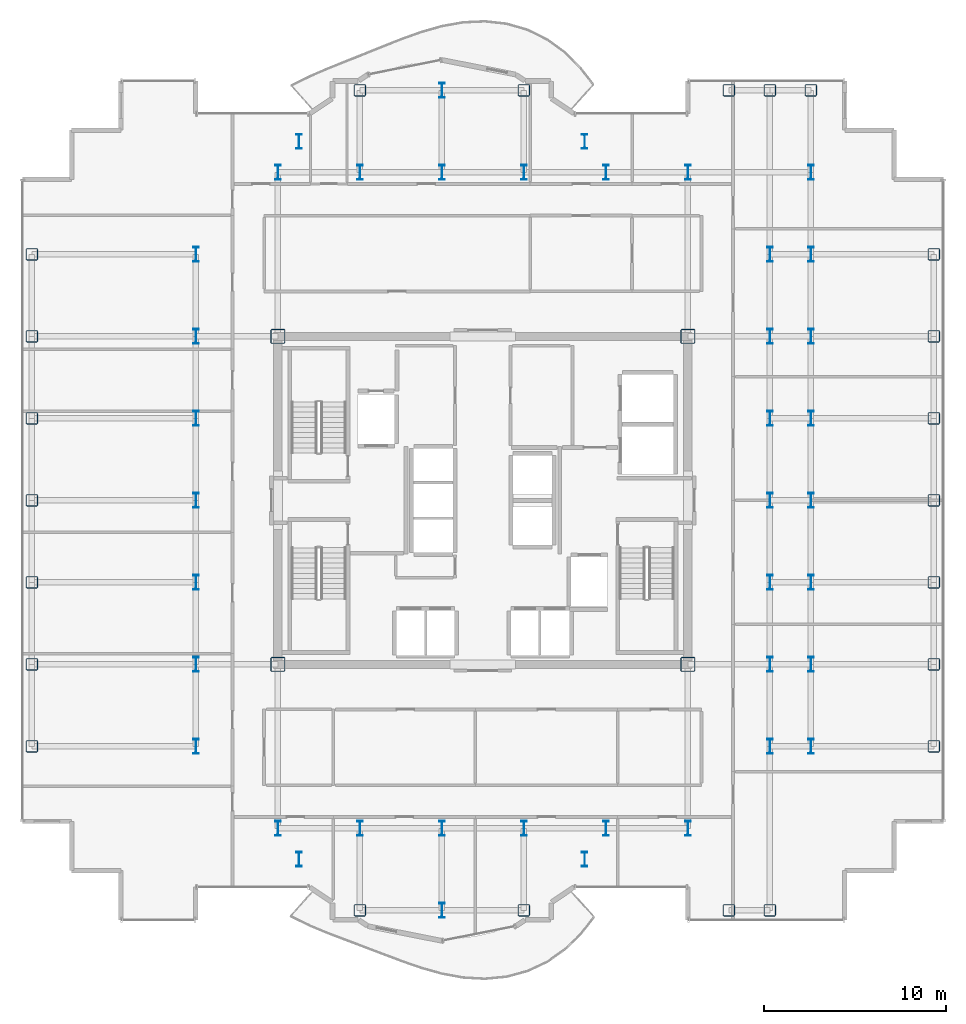
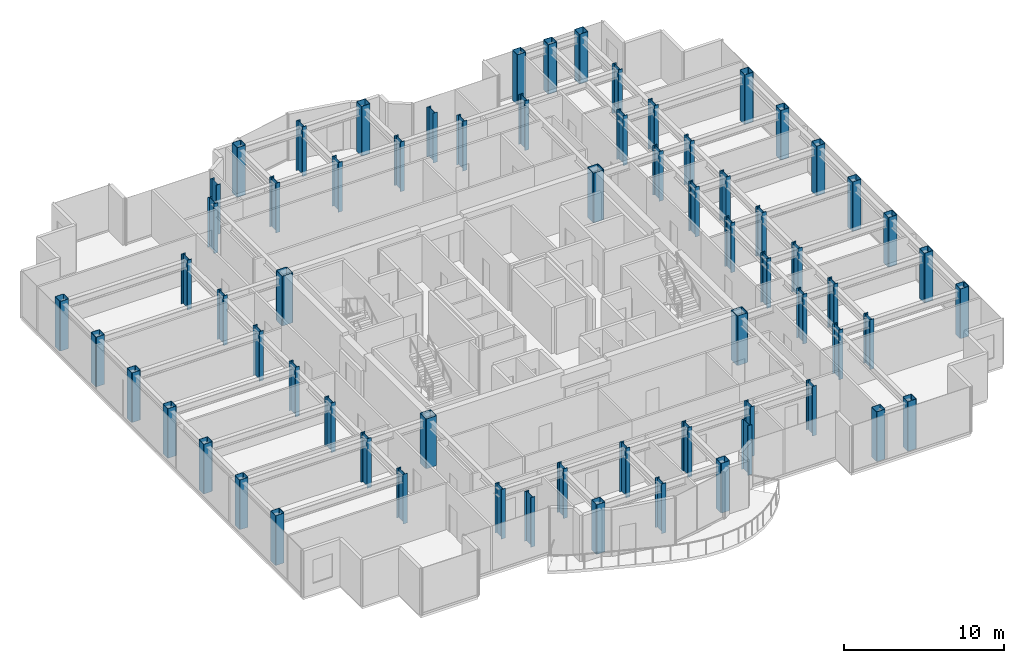
# One storey, part 1 of 21: 67 columns.
"""IFC4 building model written with IfcOpenShell, lengths in metres."""

from ifc_helpers import new_model, si_unit, direction, frame, origin, origin_2d, place, context, subcontext, project, spatial, hollow_rectangle, i_section, extrude, source, transform, mapped, material, material_profile, profile_set, type_object, element, save


model = new_model("IFC4")

# Units and contexts
model_context = context("Model", 3, precision=1e-05, world=origin(), true_north=direction((0.0, 1.0)))
body_context = subcontext(model_context, "Body", "Model", "MODEL_VIEW")
ifc_project = project(units=[si_unit("LENGTHUNIT", "METRE"), si_unit("AREAUNIT", "SQUARE_METRE"), si_unit("VOLUMEUNIT", "CUBIC_METRE"), si_unit("PLANEANGLEUNIT", "RADIAN"), si_unit("MASSUNIT", "GRAM", prefix="KILO")], contexts=[model_context])

# Site, building, storey
site_placement = place(None, origin())
site = spatial("IfcSite", under=ifc_project, at=site_placement, CompositionType="ELEMENT")
building_placement = place(site_placement, origin())
building = spatial("IfcBuilding", under=site, at=building_placement, Name="Nefas-Gora Pilgrimage Tower", CompositionType="ELEMENT")
storey_placement = place(building_placement, frame((0.0, 0.0, 210.39990234375)))
storey = spatial("IfcBuildingStorey", under=building, at=storey_placement, Name="L52", CompositionType="ELEMENT", Elevation=210.39990234375)

# Columns
ifc_material = material(Name="Steel S460", Category="steel")
ifc_material_profile_1 = material_profile(ifc_material, i_section(OverallWidth=0.302978515625, OverallDepth=0.81396484375, WebThickness=0.02099609375, FlangeThickness=0.0400390625, FilletRadius=0.030029296875, at=origin_2d()), Name="HEM 800")
ifc_profile_set_1 = profile_set([ifc_material_profile_1], Name="Steel S460")
column_type_1 = type_object("IfcColumnType", Name="COL-WEB-HEM800", PredefinedType="COLUMN", material=ifc_profile_set_1)
shared_shape_1 = source(origin(), body_context, "Body", "SweptSolid", [
    extrude(i_section(OverallWidth=0.302978515625, OverallDepth=0.81396484375, WebThickness=0.02099609375, FlangeThickness=0.0400390625, FilletRadius=0.030029296875, at=origin_2d()), origin(), (0.0, 0.0, 1.0), 3.800048828125),
])
for number, where, z_axis, x_axis, name in (
    (1, (-15.75, -13.5, 0.0), (0.0, 0.0, 1.0), (1.0, 0.0, 0.0), "L52 Tower Column CW-02.8"),
    (2, (-15.75, -9.0, 0.0), (0.0, 0.0, 1.0), (1.0, 0.0, 0.0), "L52 Tower Column CW-02.9"),
    (3, (-15.75, -4.5, 0.0), (0.0, 0.0, 1.0), (1.0, 0.0, 0.0), "L52 Tower Column CW-02.10"),
    (4, (-15.75, 0.0, 0.0), (0.0, 0.0, 1.0), (1.0, 0.0, 0.0), "L52 Tower Column CW-02.11"),
    (5, (-15.75, 4.5, 0.0), (0.0, 0.0, 1.0), (1.0, 0.0, 0.0), "L52 Tower Column CW-02.12"),
    (6, (-15.75, 9.0, 0.0), (0.0, 0.0, 1.0), (1.0, 0.0, 0.0), "L52 Tower Column CW-02.13"),
    (7, (-15.75, 13.5, 0.0), (0.0, 0.0, 1.0), (1.0, 0.0, 0.0), "L52 Tower Column CW-02.14"),
    (8, (-11.25, -18.0, 0.0), (0.0, 0.0, 1.0), (1.0, 0.0, 0.0), "L52 Tower Column CW-02.15"),
    (9, (-11.25, 18.0, 0.0), (0.0, 0.0, 1.0), (1.0, 0.0, 0.0), "L52 Tower Column CW-02.18"),
    (10, (-10.091064453125, -19.696044921875, 0.0), (0.0, 0.0, 1.0), (1.0, 0.0, 0.0), "L52 Tower Column CW-02.19"),
    (11, (-10.091064453125, 19.696044921875, 0.0), (0.0, 0.0, 1.0), (1.0, 0.0, 0.0), "L52 Tower Column CW-02.20"),
    (12, (-6.75, -18.0, 0.0), (0.0, 0.0, 1.0), (1.0, 0.0, 0.0), "L52 Tower Column CW-02.22"),
    (13, (-6.75, 18.0, 0.0), (0.0, 0.0, 1.0), (1.0, 0.0, 0.0), "L52 Tower Column CW-02.23"),
    (14, (-2.25, -22.5, 0.0), (0.0, 0.0, 1.0), (1.0, 0.0, 0.0), "L52 Tower Column CW-02.25"),
    (15, (-2.25, -18.0, 0.0), (0.0, 0.0, 1.0), (1.0, 0.0, 0.0), "L52 Tower Column CW-02.26"),
    (16, (-2.25, 18.0, 0.0), (0.0, 0.0, 1.0), (1.0, 0.0, 0.0), "L52 Tower Column CW-02.27"),
    (17, (-2.25, 22.5, 0.0), (0.0, 0.0, 1.0), (1.0, 0.0, 0.0), "L52 Tower Column CW-02.28"),
    (18, (2.25, -18.0, 0.0), (0.0, 0.0, 1.0), (1.0, 0.0, 0.0), "L52 Tower Column CW-02.30"),
    (19, (2.25, 18.0, 0.0), (0.0, 0.0, 1.0), (1.0, 0.0, 0.0), "L52 Tower Column CW-02.31"),
    (20, (5.591064453125, -19.696044921875, 0.0), (0.0, 0.0, 1.0), (1.0, 0.0, 0.0), "L52 Tower Column CW-02.33"),
    (21, (5.591064453125, 19.696044921875, 0.0), (0.0, 0.0, 1.0), (1.0, 0.0, 0.0), "L52 Tower Column CW-02.34"),
    (22, (6.75, -18.0, 0.0), (0.0, 0.0, 1.0), (1.0, 0.0, 0.0), "L52 Tower Column CW-02.35"),
    (23, (6.75, 18.0, 0.0), (0.0, 0.0, 1.0), (1.0, 0.0, 0.0), "L52 Tower Column CW-02.36"),
    (24, (11.25, -18.0, 0.0), (0.0, 0.0, 1.0), (1.0, 0.0, 0.0), "L52 Tower Column CW-02.37"),
    (25, (11.25, 18.0, 0.0), (0.0, 0.0, 1.0), (1.0, 0.0, 0.0), "L52 Tower Column CW-02.40"),
    (26, (15.75, -13.5, 0.0), (0.0, 0.0, 1.0), (1.0, 0.0, 0.0), "L52 Tower Column CW-02.44"),
    (27, (15.75, -9.0, 0.0), (0.0, 0.0, 1.0), (1.0, 0.0, 0.0), "L52 Tower Column CW-02.45"),
    (28, (15.75, -4.5, 0.0), (0.0, 0.0, 1.0), (1.0, 0.0, 0.0), "L52 Tower Column CW-02.46"),
    (29, (15.75, 0.0, 0.0), (0.0, 0.0, 1.0), (1.0, 0.0, 0.0), "L52 Tower Column CW-02.47"),
    (30, (15.75, 4.5, 0.0), (0.0, 0.0, 1.0), (1.0, 0.0, 0.0), "L52 Tower Column CW-02.48"),
    (31, (15.75, 9.0, 0.0), (0.0, 0.0, 1.0), (1.0, 0.0, 0.0), "L52 Tower Column CW-02.49"),
    (32, (15.75, 13.5, 0.0), (0.0, 0.0, 1.0), (1.0, 0.0, 0.0), "L52 Tower Column CW-02.50"),
    (33, (18.0, -13.5, 0.0), (0.0, 0.0, 1.0), (1.0, 0.0, 0.0), "L52 Tower Column CW-02.52"),
    (34, (18.0, -9.0, 0.0), (0.0, 0.0, 1.0), (1.0, 0.0, 0.0), "L52 Tower Column CW-02.53"),
    (35, (18.0, -4.5, 0.0), (0.0, 0.0, 1.0), (1.0, 0.0, 0.0), "L52 Tower Column CW-02.54"),
    (36, (18.0, 0.0, 0.0), (0.0, 0.0, 1.0), (1.0, 0.0, 0.0), "L52 Tower Column CW-02.55"),
    (37, (18.0, 4.5, 0.0), (0.0, 0.0, 1.0), (1.0, 0.0, 0.0), "L52 Tower Column CW-02.56"),
    (38, (18.0, 9.0, 0.0), (0.0, 0.0, 1.0), (1.0, 0.0, 0.0), "L52 Tower Column CW-02.57"),
    (39, (18.0, 13.5, 0.0), (0.0, 0.0, 1.0), (1.0, 0.0, 0.0), "L52 Tower Column CW-02.58"),
    (40, (18.0, 18.0, 0.0), (0.0, 0.0, 1.0), (1.0, 0.0, 0.0), "L52 Tower Column CW-02.59"),
):
    element("IfcColumn", number, at=place(storey_placement, frame(where, z_axis=z_axis, x_axis=x_axis)), inside=storey, type_object=column_type_1, Name=name, PredefinedType="COLUMN", context=body_context, shape_type="MappedRepresentation", body=[
        mapped(shared_shape_1, transform((0.0, 0.0, 0.0), x_axis=(1.0, 0.0, 0.0), y_axis=(0.0, 1.0, 0.0), z_axis=(0.0, 0.0, 1.0), scale=1.0)),
    ])
ifc_material_profile_2 = material_profile(ifc_material, hollow_rectangle(XDim=0.800048828125, YDim=0.800048828125, WallThickness=0.0400390625, InnerFilletRadius=0.0400390625, OuterFilletRadius=0.080078125, at=origin_2d()), Name="BOX 800x800x40")
ifc_profile_set_2 = profile_set([ifc_material_profile_2], Name="Steel S460")
column_type_2 = type_object("IfcColumnType", Name="COL-CORE-800", PredefinedType="COLUMN", material=ifc_profile_set_2)
shared_shape_2 = source(origin(), body_context, "Body", "SweptSolid", [
    extrude(hollow_rectangle(XDim=0.800048828125, YDim=0.800048828125, WallThickness=0.0400390625, InnerFilletRadius=0.0400390625, OuterFilletRadius=0.080078125, at=origin_2d()), origin(), (0.0, 0.0, 1.0), 3.800048828125),
])
for number, where, z_axis, x_axis, name in (
    (41, (-11.25, -9.0, 0.0), (0.0, 0.0, 1.0), (1.0, 0.0, 0.0), "L52 Tower Column CC-Z2.16"),
    (42, (-11.25, 9.0, 0.0), (0.0, 0.0, 1.0), (1.0, 0.0, 0.0), "L52 Tower Column CC-Z2.17"),
    (43, (11.25, -9.0, 0.0), (0.0, 0.0, 1.0), (1.0, 0.0, 0.0), "L52 Tower Column CC-Z2.38"),
    (44, (11.25, 9.0, 0.0), (0.0, 0.0, 1.0), (1.0, 0.0, 0.0), "L52 Tower Column CC-Z2.39"),
):
    element("IfcColumn", number, at=place(storey_placement, frame(where, z_axis=z_axis, x_axis=x_axis)), inside=storey, type_object=column_type_2, Name=name, PredefinedType="COLUMN", context=body_context, shape_type="MappedRepresentation", body=[
        mapped(shared_shape_2, transform((0.0, 0.0, 0.0), x_axis=(1.0, 0.0, 0.0), y_axis=(0.0, 1.0, 0.0), z_axis=(0.0, 0.0, 1.0), scale=1.0)),
    ])
ifc_material_profile_3 = material_profile(ifc_material, hollow_rectangle(XDim=0.64990234375, YDim=0.64990234375, WallThickness=0.031982421875, InnerFilletRadius=0.031982421875, OuterFilletRadius=0.06396484375, at=origin_2d()), Name="BOX 650x650x32")
ifc_profile_set_3 = profile_set([ifc_material_profile_3], Name="Steel S460")
column_type_3 = type_object("IfcColumnType", Name="COL-TUBE-650", PredefinedType="COLUMN", material=ifc_profile_set_3)
shared_shape_3 = source(origin(), body_context, "Body", "SweptSolid", [
    extrude(hollow_rectangle(XDim=0.64990234375, YDim=0.64990234375, WallThickness=0.031982421875, InnerFilletRadius=0.031982421875, OuterFilletRadius=0.06396484375, at=origin_2d()), origin(), (0.0, 0.0, 1.0), 3.800048828125),
])
for number, where, z_axis, x_axis, name in (
    (45, (-24.75, -13.5, 0.0), (0.0, 0.0, 1.0), (1.0, 0.0, 0.0), "L52 Tower Column C-Z3.1"),
    (46, (-24.75, -9.0, 0.0), (0.0, 0.0, 1.0), (1.0, 0.0, 0.0), "L52 Tower Column C-Z3.2"),
    (47, (-24.75, -4.5, 0.0), (0.0, 0.0, 1.0), (1.0, 0.0, 0.0), "L52 Tower Column C-Z3.3"),
    (48, (-24.75, 0.0, 0.0), (0.0, 0.0, 1.0), (1.0, 0.0, 0.0), "L52 Tower Column C-Z3.4"),
    (49, (-24.75, 4.5, 0.0), (0.0, 0.0, 1.0), (1.0, 0.0, 0.0), "L52 Tower Column C-Z3.5"),
    (50, (-24.75, 9.0, 0.0), (0.0, 0.0, 1.0), (1.0, 0.0, 0.0), "L52 Tower Column C-Z3.6"),
    (51, (-24.75, 13.5, 0.0), (0.0, 0.0, 1.0), (1.0, 0.0, 0.0), "L52 Tower Column C-Z3.7"),
    (52, (-6.75, -22.5, 0.0), (0.0, 0.0, 1.0), (1.0, 0.0, 0.0), "L52 Tower Column C-Z3.21"),
    (53, (-6.75, 22.5, 0.0), (0.0, 0.0, 1.0), (1.0, 0.0, 0.0), "L52 Tower Column C-Z3.24"),
    (54, (2.25, -22.5, 0.0), (0.0, 0.0, 1.0), (1.0, 0.0, 0.0), "L52 Tower Column C-Z3.29"),
    (55, (2.25, 22.5, 0.0), (0.0, 0.0, 1.0), (1.0, 0.0, 0.0), "L52 Tower Column C-Z3.32"),
    (56, (13.5, -22.5, 0.0), (0.0, 0.0, 1.0), (1.0, 0.0, 0.0), "L52 Tower Column C-Z3.41"),
    (57, (13.5, 22.5, 0.0), (0.0, 0.0, 1.0), (1.0, 0.0, 0.0), "L52 Tower Column C-Z3.42"),
    (58, (15.75, -22.5, 0.0), (0.0, 0.0, 1.0), (1.0, 0.0, 0.0), "L52 Tower Column C-Z3.43"),
    (59, (15.75, 22.5, 0.0), (0.0, 0.0, 1.0), (1.0, 0.0, 0.0), "L52 Tower Column C-Z3.51"),
    (60, (18.0, 22.5, 0.0), (0.0, 0.0, 1.0), (1.0, 0.0, 0.0), "L52 Tower Column C-Z3.60"),
    (61, (24.75, -13.5, 0.0), (0.0, 0.0, 1.0), (1.0, 0.0, 0.0), "L52 Tower Column C-Z3.61"),
    (62, (24.75, -9.0, 0.0), (0.0, 0.0, 1.0), (1.0, 0.0, 0.0), "L52 Tower Column C-Z3.62"),
    (63, (24.75, -4.5, 0.0), (0.0, 0.0, 1.0), (1.0, 0.0, 0.0), "L52 Tower Column C-Z3.63"),
    (64, (24.75, 0.0, 0.0), (0.0, 0.0, 1.0), (1.0, 0.0, 0.0), "L52 Tower Column C-Z3.64"),
    (65, (24.75, 4.5, 0.0), (0.0, 0.0, 1.0), (1.0, 0.0, 0.0), "L52 Tower Column C-Z3.65"),
    (66, (24.75, 9.0, 0.0), (0.0, 0.0, 1.0), (1.0, 0.0, 0.0), "L52 Tower Column C-Z3.66"),
    (67, (24.75, 13.5, 0.0), (0.0, 0.0, 1.0), (1.0, 0.0, 0.0), "L52 Tower Column C-Z3.67"),
):
    element("IfcColumn", number, at=place(storey_placement, frame(where, z_axis=z_axis, x_axis=x_axis)), inside=storey, type_object=column_type_3, Name=name, PredefinedType="COLUMN", context=body_context, shape_type="MappedRepresentation", body=[
        mapped(shared_shape_3, transform((0.0, 0.0, 0.0), x_axis=(1.0, 0.0, 0.0), y_axis=(0.0, 1.0, 0.0), z_axis=(0.0, 0.0, 1.0), scale=1.0)),
    ])

save(model, "model.ifc")
